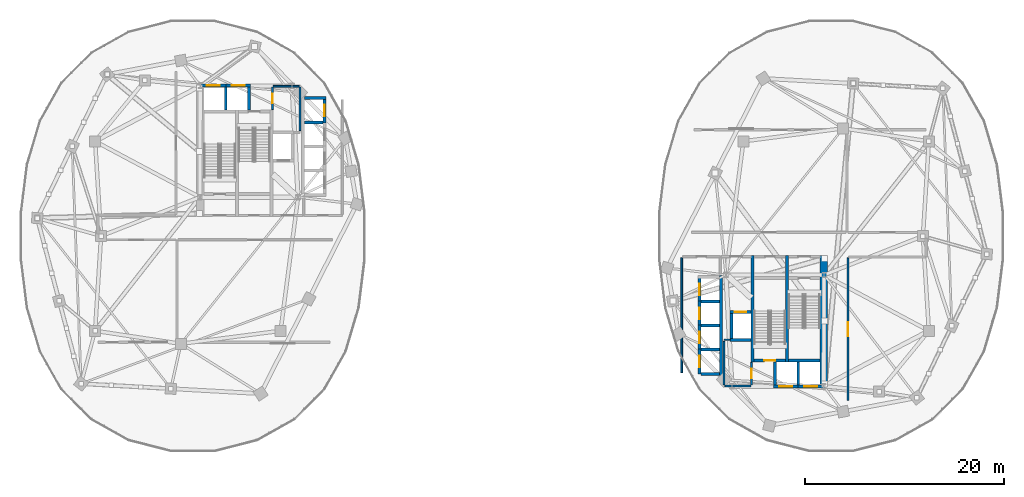
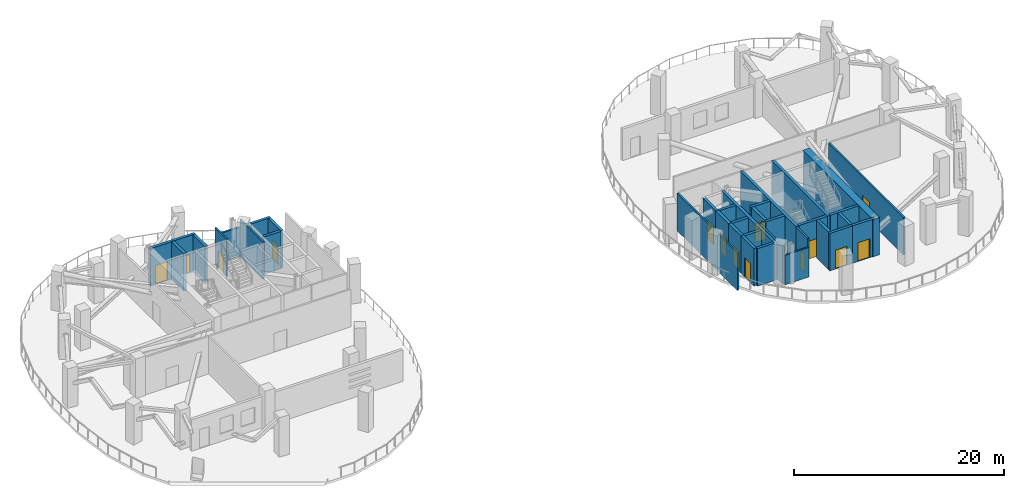
# One storey, part 6 of 12: 37 walls, 14 doors, 14 openings.
"""IFC4 building model written with IfcOpenShell, lengths in metres."""

from ifc_helpers import new_model, si_unit, direction, frame, frame_2d, origin, place, context, subcontext, project, spatial, rectangle, extrude, material, layer, layer_set, type_object, element, fill, save


model = new_model("IFC4")

# Units and contexts
model_context = context("Model", 3, precision=1e-05, world=origin(), true_north=direction((0.0, 1.0)))
body_context = subcontext(model_context, "Body", "Model", "MODEL_VIEW")
ifc_project = project(units=[si_unit("LENGTHUNIT", "METRE"), si_unit("AREAUNIT", "SQUARE_METRE"), si_unit("VOLUMEUNIT", "CUBIC_METRE"), si_unit("PLANEANGLEUNIT", "RADIAN"), si_unit("MASSUNIT", "GRAM", prefix="KILO"), si_unit("THERMODYNAMICTEMPERATUREUNIT", "KELVIN"), si_unit("POWERUNIT", "WATT")], contexts=[model_context])

# Site, building, storey
site_placement = place(None, origin())
site = spatial("IfcSite", under=ifc_project, at=site_placement, CompositionType="ELEMENT")
building_placement = place(site_placement, origin())
building = spatial("IfcBuilding", under=site, at=building_placement, Name="Cundina Bronze Exchange", CompositionType="ELEMENT")
storey_placement = place(building_placement, frame((0.0, 0.0, 132.199951171875)))
storey = spatial("IfcBuildingStorey", under=building, at=storey_placement, Name="L34", CompositionType="ELEMENT", Elevation=132.199951171875)

# Walls
ifc_material_1 = material(Name="Gypsum Fireboard Partition EI120")
ifc_layer_1 = layer(ifc_material_1, 0.179931640625, Name="Gypsum Fireboard Partition EI120")
ifc_layer_set_1 = layer_set([ifc_layer_1], Name="Gypsum Fireboard Partition EI120")
wall_type_1 = type_object("IfcWallType", Name="WL-COR-180", PredefinedType="PARTITIONING", material=ifc_layer_set_1)
wall_1_placement = place(storey_placement, frame((-21.25, 10.570068359375, 0.0), z_axis=(0.0, 0.0, 1.0), x_axis=(0.0, 1.0, 0.0)))
element("IfcWall", 1, at=wall_1_placement, inside=storey, type_object=wall_type_1, Name="L34 Interior Partition 004", PredefinedType="PARTITIONING", context=body_context, shape_type="SweptSolid", body=[
    extrude(rectangle(XDim=4.35986328125, YDim=0.179931640625, at=frame_2d((2.179931640625, 0.0))), origin(), (0.0, 0.0, 1.0), 4.360107421875),
])
wall_2_placement = place(storey_placement, frame((-23.9599609375, 15.030029296875, 0.0), z_axis=(0.0, 0.0, 1.0), x_axis=(1.0, 0.0, 0.0)))
element("IfcWall", 2, at=wall_2_placement, inside=storey, type_object=wall_type_1, Name="L34 Interior Partition 005", PredefinedType="PARTITIONING", context=body_context, shape_type="SweptSolid", body=[
    extrude(rectangle(XDim=2.60986328125, YDim=0.179931640625, at=frame_2d((1.304931640625, 0.0))), origin(), (0.0, 0.0, 1.0), 3.43310546875),
])

# Wall, opening, door
wall_3_placement = place(storey_placement, frame((-24.02001953125, 12.669921875, 0.0), z_axis=(0.0, 0.0, 1.0), x_axis=(0.0, 1.0, 0.0)))
wall_3 = element("IfcWall", 3, at=wall_3_placement, inside=storey, type_object=wall_type_1, Name="L34 Interior Partition 007", PredefinedType="PARTITIONING", context=body_context, shape_type="SweptSolid", body=[
    extrude(rectangle(XDim=2.260009765625, YDim=0.179931640625, at=frame_2d((1.1298828125, 0.0))), origin(), (0.0, 0.0, 1.0), 4.360107421875),
])
opening_1_placement = place(wall_3_placement, frame((0.655029296875, 0.0, 0.0)))
opening_1 = element("IfcOpeningElement", 4, at=opening_1_placement, cuts=wall_3, Name="Opening DW-01", PredefinedType="OPENING", context=body_context, shape_type="SweptSolid", body=[
    extrude(rectangle(XDim=0.949951171875, YDim=2.10009765625, at=frame_2d((0.47509765625, 1.050048828125))), frame((0.0, 0.099853515625, 0.0), z_axis=(0.0, -1.0, 0.0), x_axis=(1.0, 0.0, 0.0)), (0.0, 0.0, 1.0), 0.199951171875),
])
ifc_material_2 = material(Name="Solid Andean Oak Timber Grade A", Category="wood")
door_type_1 = type_object("IfcDoorType", Name="DR-WC-950", OperationType="NOTDEFINED", PredefinedType="DOOR", material=ifc_material_2)
door_1_placement = place(opening_1_placement, origin())
door_1 = element("IfcDoor", 5, at=door_1_placement, inside=storey, type_object=door_type_1, Name="L34 Interior Door 007", OperationType="SINGLE_SWING_LEFT", OverallHeight=2.10009765625, OverallWidth=0.949951171875, PredefinedType="DOOR", context=body_context, shape_type="SweptSolid", body=[
    extrude(rectangle(XDim=0.949951171875, YDim=2.10009765625, at=frame_2d((0.47509765625, 1.050048828125))), frame((0.0, 0.02490234375, 0.0), z_axis=(0.0, -1.0, 0.0), x_axis=(1.0, 0.0, 0.0)), (0.0, 0.0, 1.0), 0.050048828125),
])
fill(opening_1, door_1)

# Walls
wall_4_placement = place(storey_placement, frame((17.02001953125, -13.679931640625, 0.0), z_axis=(0.0, 0.0, 1.0), x_axis=(0.0, 1.0, 0.0)))
element("IfcWall", 6, at=wall_4_placement, inside=storey, type_object=wall_type_1, Name="L34 Interior Partition 014", PredefinedType="PARTITIONING", context=body_context, shape_type="SweptSolid", body=[
    extrude(rectangle(XDim=11.510009765625, YDim=0.179931640625, at=frame_2d((5.7548828125, 0.0))), origin(), (0.0, 0.0, 1.0), 4.360107421875),
])
wall_5_placement = place(storey_placement, frame((21.25, -14.929931640625, 0.0), z_axis=(0.0, 0.0, 1.0), x_axis=(0.0, 1.0, 0.0)))
element("IfcWall", 7, at=wall_5_placement, inside=storey, type_object=wall_type_1, Name="L34 Interior Partition 017", PredefinedType="PARTITIONING", context=body_context, shape_type="SweptSolid", body=[
    extrude(rectangle(XDim=4.35986328125, YDim=0.179931640625, at=frame_2d((2.179931640625, 0.0))), origin(), (0.0, 0.0, 1.0), 4.360107421875),
])
wall_6_placement = place(storey_placement, frame((21.35009765625, -15.030029296875, 0.0), z_axis=(0.0, 0.0, 1.0), x_axis=(1.0, 0.0, 0.0)))
element("IfcWall", 8, at=wall_6_placement, inside=storey, type_object=wall_type_1, Name="L34 Interior Partition 018", PredefinedType="PARTITIONING", context=body_context, shape_type="SweptSolid", body=[
    extrude(rectangle(XDim=2.60986328125, YDim=0.179931640625, at=frame_2d((1.304931640625, 0.0))), origin(), (0.0, 0.0, 1.0), 3.43310546875),
])

# Wall, opening, door
wall_7_placement = place(storey_placement, frame((24.02001953125, -14.929931640625, 0.0), z_axis=(0.0, 0.0, 1.0), x_axis=(0.0, 1.0, 0.0)))
wall_7 = element("IfcWall", 9, at=wall_7_placement, inside=storey, type_object=wall_type_1, Name="L34 Interior Partition 020", PredefinedType="PARTITIONING", context=body_context, shape_type="SweptSolid", body=[
    extrude(rectangle(XDim=2.260009765625, YDim=0.179931640625, at=frame_2d((1.1298828125, 0.0))), origin(), (0.0, 0.0, 1.0), 4.360107421875),
])
opening_2_placement = place(wall_7_placement, frame((0.655029296875, 0.0, 0.0)))
opening_2 = element("IfcOpeningElement", 10, at=opening_2_placement, cuts=wall_7, Name="Opening DW-01", PredefinedType="OPENING", context=body_context, shape_type="SweptSolid", body=[
    extrude(rectangle(XDim=0.949951171875, YDim=2.10009765625, at=frame_2d((0.47509765625, 1.050048828125))), frame((0.0, 0.099853515625, 0.0), z_axis=(0.0, -1.0, 0.0), x_axis=(1.0, 0.0, 0.0)), (0.0, 0.0, 1.0), 0.199951171875),
])
door_2_placement = place(opening_2_placement, origin())
door_2 = element("IfcDoor", 11, at=door_2_placement, inside=storey, type_object=door_type_1, Name="L34 Interior Door 020", OperationType="SINGLE_SWING_RIGHT", OverallHeight=2.10009765625, OverallWidth=0.949951171875, PredefinedType="DOOR", context=body_context, shape_type="SweptSolid", body=[
    extrude(rectangle(XDim=0.949951171875, YDim=2.10009765625, at=frame_2d((0.47509765625, 1.050048828125))), frame((0.0, 0.02490234375, 0.0), z_axis=(0.0, -1.0, 0.0), x_axis=(1.0, 0.0, 0.0)), (0.0, 0.0, 1.0), 0.050048828125),
])
fill(opening_2, door_2)

wall_8_placement = place(storey_placement, frame((33.68994140625, -16.47998046875, 0.0), z_axis=(0.0, 0.0, 1.0), x_axis=(0.0, 1.0, 0.0)))
wall_8 = element("IfcWall", 12, at=wall_8_placement, inside=storey, type_object=wall_type_1, Name="L34 Interior Partition 023", PredefinedType="PARTITIONING", context=body_context, shape_type="SweptSolid", body=[
    extrude(rectangle(XDim=14.300048828125, YDim=0.179931640625, at=frame_2d((7.14990234375, 0.0))), origin(), (0.0, 0.0, 1.0), 4.360107421875),
])
opening_3_placement = place(wall_8_placement, frame((6.449951171875, 0.0, 0.0)))
opening_3 = element("IfcOpeningElement", 13, at=opening_3_placement, cuts=wall_8, Name="Opening DP-01", PredefinedType="OPENING", context=body_context, shape_type="SweptSolid", body=[
    extrude(rectangle(XDim=1.39990234375, YDim=2.199951171875, at=frame_2d((0.699951171875, 1.10009765625))), frame((0.0, 0.099853515625, 0.0), z_axis=(0.0, -1.0, 0.0), x_axis=(1.0, 0.0, 0.0)), (0.0, 0.0, 1.0), 0.199951171875),
])
ifc_material_3 = material(Name="Steel ASTM A36 Painted", Category="steel")
door_type_2 = type_object("IfcDoorType", Name="DR-PLT-1400", OperationType="NOTDEFINED", PredefinedType="DOOR", material=ifc_material_3)
door_3_placement = place(opening_3_placement, origin())
door_3 = element("IfcDoor", 14, at=door_3_placement, inside=storey, type_object=door_type_2, Name="L34 Interior Door 023", OperationType="SINGLE_SWING_RIGHT", OverallHeight=2.199951171875, OverallWidth=1.39990234375, PredefinedType="DOOR", context=body_context, shape_type="SweptSolid", body=[
    extrude(rectangle(XDim=1.39990234375, YDim=2.199951171875, at=frame_2d((0.699951171875, 1.10009765625))), frame((0.0, 0.02490234375, 0.0), z_axis=(0.0, -1.0, 0.0), x_axis=(1.0, 0.0, 0.0)), (0.0, 0.0, 1.0), 0.050048828125),
])
fill(opening_3, door_3)

# Wall
ifc_material_4 = material(Name="Concrete C60/75", Category="concrete")
ifc_layer_2 = layer(ifc_material_4, 0.75, Name="Concrete C60/75", Category="concrete")
ifc_layer_set_2 = layer_set([ifc_layer_2], Name="Concrete C60/75")
wall_type_2 = type_object("IfcWallType", Name="WL-CORE-750", PredefinedType="SHEAR", material=ifc_layer_set_2)
wall_9_placement = place(storey_placement, frame((31.27490234375, -15.300048828125, 0.0), z_axis=(0.0, 0.0, 1.0), x_axis=(0.0, 1.0, 0.0)))
element("IfcWall", 15, at=wall_9_placement, inside=storey, type_object=wall_type_2, Name="L34 E Primary Core Shear Spine Wall", PredefinedType="SHEAR", context=body_context, shape_type="SweptSolid", body=[
    extrude(rectangle(XDim=13.330078125, YDim=0.75, at=frame_2d((6.6650390625, 0.0))), origin(), (0.0, 0.0, 1.0), 4.360107421875),
])

# Wall, opening, door
ifc_material_5 = material(Name="Concrete C50/60", Category="concrete")
ifc_layer_3 = layer(ifc_material_5, 0.300048828125, Name="Concrete C50/60", Category="concrete")
ifc_layer_set_3 = layer_set([ifc_layer_3], Name="Concrete C50/60")
wall_type_3 = type_object("IfcWallType", Name="WL-SHFT-300", PredefinedType="SHEAR", material=ifc_layer_set_3)
wall_10_placement = place(storey_placement, frame((-31.199951171875, 15.10009765625, 0.0), z_axis=(0.0, 0.0, 1.0), x_axis=(1.0, 0.0, 0.0)))
wall_10 = element("IfcWall", 16, at=wall_10_placement, inside=storey, type_object=wall_type_3, Name="L34 PH-W1 Hoistway Front Wall", PredefinedType="SHEAR", context=body_context, shape_type="SweptSolid", body=[
    extrude(rectangle(XDim=2.5, YDim=0.300048828125, at=frame_2d((1.25, 0.0))), origin(), (0.0, 0.0, 1.0), 4.360107421875),
])
opening_4_placement = place(wall_10_placement, frame((0.60009765625, 0.0, 0.0)))
opening_4 = element("IfcOpeningElement", 17, at=opening_4_placement, cuts=wall_10, Name="Opening LD-02", PredefinedType="OPENING", context=body_context, shape_type="SweptSolid", body=[
    extrude(rectangle(XDim=1.300048828125, YDim=2.199951171875, at=frame_2d((0.64990234375, 1.10009765625))), frame((0.0, 0.159912109375, 0.0), z_axis=(0.0, -1.0, 0.0), x_axis=(1.0, 0.0, 0.0)), (0.0, 0.0, 1.0), 0.320068359375),
])
door_type_3 = type_object("IfcDoorType", Name="DR-LND-1300", OperationType="NOTDEFINED", PredefinedType="TRAPDOOR", material=ifc_material_3)
door_4_placement = place(opening_4_placement, origin())
door_4 = element("IfcDoor", 18, at=door_4_placement, inside=storey, type_object=door_type_3, Name="L34 PH-W1 Sliding Landing Door", OperationType="SLIDING_TO_LEFT", OverallHeight=2.199951171875, OverallWidth=1.300048828125, PredefinedType="TRAPDOOR", context=body_context, shape_type="SweptSolid", body=[
    extrude(rectangle(XDim=1.300048828125, YDim=2.199951171875, at=frame_2d((0.64990234375, 1.10009765625))), frame((0.0, 0.02490234375, 0.0), z_axis=(0.0, -1.0, 0.0), x_axis=(1.0, 0.0, 0.0)), (0.0, 0.0, 1.0), 0.050048828125),
])
fill(opening_4, door_4)

# Wall
wall_11_placement = place(storey_placement, frame((-28.699951171875, 12.64990234375, 0.0), z_axis=(0.0, 0.0, 1.0), x_axis=(0.0, 1.0, 0.0)))
element("IfcWall", 19, at=wall_11_placement, inside=storey, type_object=wall_type_3, Name="L34 PH-W1 Hoistway Divider Wall", PredefinedType="SHEAR", context=body_context, shape_type="SweptSolid", body=[
    extrude(rectangle(XDim=2.300048828125, YDim=0.300048828125, at=frame_2d((1.14990234375, 0.0))), origin(), (0.0, 0.0, 1.0), 4.360107421875),
])

# Wall, opening, door
wall_12_placement = place(storey_placement, frame((-28.699951171875, 15.10009765625, 0.0), z_axis=(0.0, 0.0, 1.0), x_axis=(1.0, 0.0, 0.0)))
wall_12 = element("IfcWall", 20, at=wall_12_placement, inside=storey, type_object=wall_type_3, Name="L34 PH-W2 Hoistway Front Wall", PredefinedType="SHEAR", context=body_context, shape_type="SweptSolid", body=[
    extrude(rectangle(XDim=2.5, YDim=0.300048828125, at=frame_2d((1.25, 0.0))), origin(), (0.0, 0.0, 1.0), 4.360107421875),
])
opening_5_placement = place(wall_12_placement, frame((0.60009765625, 0.0, 0.0)))
opening_5 = element("IfcOpeningElement", 21, at=opening_5_placement, cuts=wall_12, Name="Opening LD-02", PredefinedType="OPENING", context=body_context, shape_type="SweptSolid", body=[
    extrude(rectangle(XDim=1.300048828125, YDim=2.199951171875, at=frame_2d((0.64990234375, 1.10009765625))), frame((0.0, 0.159912109375, 0.0), z_axis=(0.0, -1.0, 0.0), x_axis=(1.0, 0.0, 0.0)), (0.0, 0.0, 1.0), 0.320068359375),
])
door_5_placement = place(opening_5_placement, origin())
door_5 = element("IfcDoor", 22, at=door_5_placement, inside=storey, type_object=door_type_3, Name="L34 PH-W2 Sliding Landing Door", OperationType="SLIDING_TO_LEFT", OverallHeight=2.199951171875, OverallWidth=1.300048828125, PredefinedType="TRAPDOOR", context=body_context, shape_type="SweptSolid", body=[
    extrude(rectangle(XDim=1.300048828125, YDim=2.199951171875, at=frame_2d((0.64990234375, 1.10009765625))), frame((0.0, 0.02490234375, 0.0), z_axis=(0.0, -1.0, 0.0), x_axis=(1.0, 0.0, 0.0)), (0.0, 0.0, 1.0), 0.050048828125),
])
fill(opening_5, door_5)

# Walls
wall_13_placement = place(storey_placement, frame((-26.35009765625, 12.64990234375, 0.0), z_axis=(0.0, 0.0, 1.0), x_axis=(0.0, 1.0, 0.0)))
element("IfcWall", 23, at=wall_13_placement, inside=storey, type_object=wall_type_3, Name="L34 PH-W2 Hoistway Divider Wall", PredefinedType="SHEAR", context=body_context, shape_type="SweptSolid", body=[
    extrude(rectangle(XDim=2.300048828125, YDim=0.300048828125, at=frame_2d((1.14990234375, 0.0))), origin(), (0.0, 0.0, 1.0), 4.360107421875),
])
wall_14_placement = place(storey_placement, frame((-20.800048828125, 13.85009765625, 0.0), z_axis=(0.0, 0.0, 1.0), x_axis=(1.0, 0.0, 0.0)))
element("IfcWall", 24, at=wall_14_placement, inside=storey, type_object=wall_type_3, Name="L34 W Passenger Bank North Cap Wall", PredefinedType="SHEAR", context=body_context, shape_type="SweptSolid", body=[
    extrude(rectangle(XDim=2.150146484375, YDim=0.300048828125, at=frame_2d((1.0751953125, 0.0))), origin(), (0.0, 0.0, 1.0), 4.360107421875),
])
wall_15_placement = place(storey_placement, frame((-20.800048828125, 11.375, 0.0), z_axis=(0.0, 0.0, 1.0), x_axis=(1.0, 0.0, 0.0)))
element("IfcWall", 25, at=wall_15_placement, inside=storey, type_object=wall_type_3, Name="L34 W Passenger Hoistway Divider 3", PredefinedType="SHEAR", context=body_context, shape_type="SweptSolid", body=[
    extrude(rectangle(XDim=1.85009765625, YDim=0.300048828125, at=frame_2d((0.925048828125, 0.0))), origin(), (0.0, 0.0, 1.0), 4.360107421875),
])

# Wall, opening, door
wall_16_placement = place(storey_placement, frame((-18.800048828125, 11.330078125, 0.0), z_axis=(0.0, 0.0, 1.0), x_axis=(0.0, 1.0, 0.0)))
wall_16 = element("IfcWall", 26, at=wall_16_placement, inside=storey, type_object=wall_type_3, Name="L34 PM-W1 Hoistway Front Wall", PredefinedType="SHEAR", context=body_context, shape_type="SweptSolid", body=[
    extrude(rectangle(XDim=2.489990234375, YDim=0.300048828125, at=frame_2d((1.2451171875, 0.0))), origin(), (0.0, 0.0, 1.0), 4.360107421875),
])
opening_6_placement = place(wall_16_placement, frame((0.669921875, 0.0, 0.0)))
opening_6 = element("IfcOpeningElement", 27, at=opening_6_placement, cuts=wall_16, Name="Opening LD-01", PredefinedType="OPENING", context=body_context, shape_type="SweptSolid", body=[
    extrude(rectangle(XDim=1.14990234375, YDim=2.199951171875, at=frame_2d((0.574951171875, 1.10009765625))), frame((0.0, 0.159912109375, 0.0), z_axis=(0.0, -1.0, 0.0), x_axis=(1.0, 0.0, 0.0)), (0.0, 0.0, 1.0), 0.320068359375),
])
door_type_4 = type_object("IfcDoorType", Name="DR-LND-1150", OperationType="NOTDEFINED", PredefinedType="TRAPDOOR", material=ifc_material_3)
door_6_placement = place(opening_6_placement, origin())
door_6 = element("IfcDoor", 28, at=door_6_placement, inside=storey, type_object=door_type_4, Name="L34 PM-W1 Sliding Landing Door", OperationType="SLIDING_TO_LEFT", OverallHeight=2.199951171875, OverallWidth=1.14990234375, PredefinedType="TRAPDOOR", context=body_context, shape_type="SweptSolid", body=[
    extrude(rectangle(XDim=1.14990234375, YDim=2.199951171875, at=frame_2d((0.574951171875, 1.10009765625))), frame((0.0, 0.02490234375, 0.0), z_axis=(0.0, -1.0, 0.0), x_axis=(1.0, 0.0, 0.0)), (0.0, 0.0, 1.0), 0.050048828125),
])
fill(opening_6, door_6)

# Walls
for number, where, z_axis, x_axis, name in (
    (29, (27.590087890625, -12.64990234375, 0.0), (0.0, 0.0, 1.0), (0.0, 1.0, 0.0), "L34 E Stair Shaft Dividing Shear Wall"),
    (30, (24.1298828125, -12.64990234375, 0.0), (0.0, 0.0, 1.0), (0.0, 1.0, 0.0), "L34 E Stair 2 East Shear Wall"),
):
    element("IfcWall", number, at=place(storey_placement, frame(where, z_axis=z_axis, x_axis=x_axis)), inside=storey, type_object=wall_type_3, Name=name, PredefinedType="SHEAR", context=body_context, shape_type="SweptSolid", body=[
        extrude(rectangle(XDim=10.679931640625, YDim=0.300048828125, at=frame_2d((5.33984375, 0.0))), origin(), (0.0, 0.0, 1.0), 4.360107421875),
    ])
wall_17_placement = place(storey_placement, frame((27.739990234375, -12.5, 0.0), z_axis=(0.0, 0.0, 1.0), x_axis=(1.0, 0.0, 0.0)))
element("IfcWall", 31, at=wall_17_placement, inside=storey, type_object=wall_type_3, Name="L34 Stair E1 Far Shaft Wall", PredefinedType="SHEAR", context=body_context, shape_type="SweptSolid", body=[
    extrude(rectangle(XDim=3.159912109375, YDim=0.300048828125, at=frame_2d((1.580078125, 0.0))), origin(), (0.0, 0.0, 1.0), 4.360107421875),
])

# Wall, opening, door
wall_18_placement = place(storey_placement, frame((24.280029296875, -12.5, 0.0), z_axis=(0.0, 0.0, 1.0), x_axis=(1.0, 0.0, 0.0)))
wall_18 = element("IfcWall", 32, at=wall_18_placement, inside=storey, type_object=wall_type_3, Name="L34 Stair E2 Landing Wall", PredefinedType="SHEAR", context=body_context, shape_type="SweptSolid", body=[
    extrude(rectangle(XDim=3.159912109375, YDim=0.300048828125, at=frame_2d((1.580078125, 0.0))), origin(), (0.0, 0.0, 1.0), 4.360107421875),
])
opening_7_placement = place(wall_18_placement, frame((1.030029296875, 0.0, 0.0)))
opening_7 = element("IfcOpeningElement", 33, at=opening_7_placement, cuts=wall_18, Name="Opening DS-01", PredefinedType="OPENING", context=body_context, shape_type="SweptSolid", body=[
    extrude(rectangle(XDim=1.10009765625, YDim=2.14990234375, at=frame_2d((0.550048828125, 1.074951171875))), frame((0.0, 0.159912109375, 0.0), z_axis=(0.0, -1.0, 0.0), x_axis=(1.0, 0.0, 0.0)), (0.0, 0.0, 1.0), 0.320068359375),
])
door_type_5 = type_object("IfcDoorType", Name="DR-STR-1100", OperationType="NOTDEFINED", PredefinedType="DOOR", material=ifc_material_3)
door_7_placement = place(opening_7_placement, origin())
door_7 = element("IfcDoor", 34, at=door_7_placement, inside=storey, type_object=door_type_5, Name="L34 Smokeproof Stair E2 Door", OperationType="SINGLE_SWING_RIGHT", OverallHeight=2.14990234375, OverallWidth=1.10009765625, PredefinedType="DOOR", context=body_context, shape_type="SweptSolid", body=[
    extrude(rectangle(XDim=1.10009765625, YDim=2.14990234375, at=frame_2d((0.550048828125, 1.074951171875))), frame((0.0, 0.02490234375, 0.0), z_axis=(0.0, -1.0, 0.0), x_axis=(1.0, 0.0, 0.0)), (0.0, 0.0, 1.0), 0.050048828125),
])
fill(opening_7, door_7)

wall_19_placement = place(storey_placement, frame((21.8798828125, -7.60009765625, 0.0), z_axis=(0.0, 0.0, 1.0), x_axis=(1.0, 0.0, 0.0)))
wall_19 = element("IfcWall", 35, at=wall_19_placement, inside=storey, type_object=wall_type_3, Name="L34 FFL-E Hoistway Front Wall", PredefinedType="SHEAR", context=body_context, shape_type="SweptSolid", body=[
    extrude(rectangle(XDim=2.10009765625, YDim=0.300048828125, at=frame_2d((1.050048828125, 0.0))), origin(), (0.0, 0.0, 1.0), 4.360107421875),
])
opening_8_placement = place(wall_19_placement, frame((0.47509765625, 0.0, 0.0)))
opening_8 = element("IfcOpeningElement", 36, at=opening_8_placement, cuts=wall_19, Name="Opening LD-01", PredefinedType="OPENING", context=body_context, shape_type="SweptSolid", body=[
    extrude(rectangle(XDim=1.14990234375, YDim=2.199951171875, at=frame_2d((0.574951171875, 1.10009765625))), frame((0.0, 0.159912109375, 0.0), z_axis=(0.0, -1.0, 0.0), x_axis=(1.0, 0.0, 0.0)), (0.0, 0.0, 1.0), 0.320068359375),
])
door_8_placement = place(opening_8_placement, origin())
door_8 = element("IfcDoor", 37, at=door_8_placement, inside=storey, type_object=door_type_4, Name="L34 FFL-E Sliding Landing Door", OperationType="SLIDING_TO_LEFT", OverallHeight=2.199951171875, OverallWidth=1.14990234375, PredefinedType="TRAPDOOR", context=body_context, shape_type="SweptSolid", body=[
    extrude(rectangle(XDim=1.14990234375, YDim=2.199951171875, at=frame_2d((0.574951171875, 1.10009765625))), frame((0.0, 0.02490234375, 0.0), z_axis=(0.0, -1.0, 0.0), x_axis=(1.0, 0.0, 0.0)), (0.0, 0.0, 1.0), 0.050048828125),
])
fill(opening_8, door_8)

# Walls
wall_20_placement = place(storey_placement, frame((21.8798828125, -10.39990234375, 0.0), z_axis=(0.0, 0.0, 1.0), x_axis=(1.0, 0.0, 0.0)))
element("IfcWall", 38, at=wall_20_placement, inside=storey, type_object=wall_type_3, Name="L34 FFL-E Hoistway Back Wall", PredefinedType="SHEAR", context=body_context, shape_type="SweptSolid", body=[
    extrude(rectangle(XDim=2.10009765625, YDim=0.300048828125, at=frame_2d((1.050048828125, 0.0))), origin(), (0.0, 0.0, 1.0), 4.360107421875),
])
wall_21_placement = place(storey_placement, frame((22.030029296875, -10.25, 0.0), z_axis=(0.0, 0.0, 1.0), x_axis=(0.0, 1.0, 0.0)))
element("IfcWall", 39, at=wall_21_placement, inside=storey, type_object=wall_type_3, Name="L34 FFL-E Hoistway Side Wall", PredefinedType="SHEAR", context=body_context, shape_type="SweptSolid", body=[
    extrude(rectangle(XDim=2.5, YDim=0.300048828125, at=frame_2d((1.25, 0.0))), origin(), (0.0, 0.0, 1.0), 4.360107421875),
])

# Wall, opening, door
wall_22_placement = place(storey_placement, frame((28.699951171875, -15.10009765625, 0.0), z_axis=(0.0, 0.0, 1.0), x_axis=(1.0, 0.0, 0.0)))
wall_22 = element("IfcWall", 40, at=wall_22_placement, inside=storey, type_object=wall_type_3, Name="L34 PH-E1 Hoistway Front Wall", PredefinedType="SHEAR", context=body_context, shape_type="SweptSolid", body=[
    extrude(rectangle(XDim=2.5, YDim=0.300048828125, at=frame_2d((1.25, 0.0))), origin(), (0.0, 0.0, 1.0), 4.360107421875),
])
opening_9_placement = place(wall_22_placement, frame((0.60009765625, 0.0, 0.0)))
opening_9 = element("IfcOpeningElement", 41, at=opening_9_placement, cuts=wall_22, Name="Opening LD-02", PredefinedType="OPENING", context=body_context, shape_type="SweptSolid", body=[
    extrude(rectangle(XDim=1.300048828125, YDim=2.199951171875, at=frame_2d((0.64990234375, 1.10009765625))), frame((0.0, 0.159912109375, 0.0), z_axis=(0.0, -1.0, 0.0), x_axis=(1.0, 0.0, 0.0)), (0.0, 0.0, 1.0), 0.320068359375),
])
door_9_placement = place(opening_9_placement, origin())
door_9 = element("IfcDoor", 42, at=door_9_placement, inside=storey, type_object=door_type_3, Name="L34 PH-E1 Sliding Landing Door", OperationType="SLIDING_TO_LEFT", OverallHeight=2.199951171875, OverallWidth=1.300048828125, PredefinedType="TRAPDOOR", context=body_context, shape_type="SweptSolid", body=[
    extrude(rectangle(XDim=1.300048828125, YDim=2.199951171875, at=frame_2d((0.64990234375, 1.10009765625))), frame((0.0, 0.02490234375, 0.0), z_axis=(0.0, -1.0, 0.0), x_axis=(1.0, 0.0, 0.0)), (0.0, 0.0, 1.0), 0.050048828125),
])
fill(opening_9, door_9)

# Wall
wall_23_placement = place(storey_placement, frame((28.699951171875, -14.949951171875, 0.0), z_axis=(0.0, 0.0, 1.0), x_axis=(0.0, 1.0, 0.0)))
element("IfcWall", 43, at=wall_23_placement, inside=storey, type_object=wall_type_3, Name="L34 PH-E1 Hoistway Divider Wall", PredefinedType="SHEAR", context=body_context, shape_type="SweptSolid", body=[
    extrude(rectangle(XDim=2.300048828125, YDim=0.300048828125, at=frame_2d((1.14990234375, 0.0))), origin(), (0.0, 0.0, 1.0), 4.360107421875),
])

# Wall, opening, door
wall_24_placement = place(storey_placement, frame((26.199951171875, -15.10009765625, 0.0), z_axis=(0.0, 0.0, 1.0), x_axis=(1.0, 0.0, 0.0)))
wall_24 = element("IfcWall", 44, at=wall_24_placement, inside=storey, type_object=wall_type_3, Name="L34 PH-E2 Hoistway Front Wall", PredefinedType="SHEAR", context=body_context, shape_type="SweptSolid", body=[
    extrude(rectangle(XDim=2.5, YDim=0.300048828125, at=frame_2d((1.25, 0.0))), origin(), (0.0, 0.0, 1.0), 4.360107421875),
])
opening_10_placement = place(wall_24_placement, frame((0.60009765625, 0.0, 0.0)))
opening_10 = element("IfcOpeningElement", 45, at=opening_10_placement, cuts=wall_24, Name="Opening LD-02", PredefinedType="OPENING", context=body_context, shape_type="SweptSolid", body=[
    extrude(rectangle(XDim=1.300048828125, YDim=2.199951171875, at=frame_2d((0.64990234375, 1.10009765625))), frame((0.0, 0.159912109375, 0.0), z_axis=(0.0, -1.0, 0.0), x_axis=(1.0, 0.0, 0.0)), (0.0, 0.0, 1.0), 0.320068359375),
])
door_10_placement = place(opening_10_placement, origin())
door_10 = element("IfcDoor", 46, at=door_10_placement, inside=storey, type_object=door_type_3, Name="L34 PH-E2 Sliding Landing Door", OperationType="SLIDING_TO_LEFT", OverallHeight=2.199951171875, OverallWidth=1.300048828125, PredefinedType="TRAPDOOR", context=body_context, shape_type="SweptSolid", body=[
    extrude(rectangle(XDim=1.300048828125, YDim=2.199951171875, at=frame_2d((0.64990234375, 1.10009765625))), frame((0.0, 0.02490234375, 0.0), z_axis=(0.0, -1.0, 0.0), x_axis=(1.0, 0.0, 0.0)), (0.0, 0.0, 1.0), 0.050048828125),
])
fill(opening_10, door_10)

# Walls
wall_25_placement = place(storey_placement, frame((26.35009765625, -14.949951171875, 0.0), z_axis=(0.0, 0.0, 1.0), x_axis=(0.0, 1.0, 0.0)))
element("IfcWall", 47, at=wall_25_placement, inside=storey, type_object=wall_type_3, Name="L34 PH-E2 Hoistway Divider Wall", PredefinedType="SHEAR", context=body_context, shape_type="SweptSolid", body=[
    extrude(rectangle(XDim=2.300048828125, YDim=0.300048828125, at=frame_2d((1.14990234375, 0.0))), origin(), (0.0, 0.0, 1.0), 4.360107421875),
])
wall_26_placement = place(storey_placement, frame((20.949951171875, -14.0, 0.0), z_axis=(0.0, 0.0, 1.0), x_axis=(0.0, 1.0, 0.0)))
element("IfcWall", 48, at=wall_26_placement, inside=storey, type_object=wall_type_3, Name="L34 E Passenger Bank Hoistway Back Wall", PredefinedType="SHEAR", context=body_context, shape_type="SweptSolid", body=[
    extrude(rectangle(XDim=10.050048828125, YDim=0.300048828125, at=frame_2d((5.02490234375, 0.0))), origin(), (0.0, 0.0, 1.0), 4.360107421875),
])
for number, where, z_axis, x_axis, name in (
    (49, (18.949951171875, -13.85009765625, 0.0), (0.0, 0.0, 1.0), (1.0, 0.0, 0.0), "L34 E Passenger Bank South Cap Wall"),
    (50, (18.949951171875, -11.375, 0.0), (0.0, 0.0, 1.0), (1.0, 0.0, 0.0), "L34 E Passenger Hoistway Divider 1"),
    (51, (18.949951171875, -8.97509765625, 0.0), (0.0, 0.0, 1.0), (1.0, 0.0, 0.0), "L34 E Passenger Hoistway Divider 2"),
    (52, (18.949951171875, -6.574951171875, 0.0), (0.0, 0.0, 1.0), (1.0, 0.0, 0.0), "L34 E Passenger Hoistway Divider 3"),
):
    element("IfcWall", number, at=place(storey_placement, frame(where, z_axis=z_axis, x_axis=x_axis)), inside=storey, type_object=wall_type_3, Name=name, PredefinedType="SHEAR", context=body_context, shape_type="SweptSolid", body=[
        extrude(rectangle(XDim=1.85009765625, YDim=0.300048828125, at=frame_2d((0.925048828125, 0.0))), origin(), (0.0, 0.0, 1.0), 4.360107421875),
    ])

# Wall, opening, door
wall_27_placement = place(storey_placement, frame((18.800048828125, -13.820068359375, 0.0), z_axis=(0.0, 0.0, 1.0), x_axis=(0.0, 1.0, 0.0)))
wall_27 = element("IfcWall", 53, at=wall_27_placement, inside=storey, type_object=wall_type_3, Name="L34 PM-E1 Hoistway Front Wall", PredefinedType="SHEAR", context=body_context, shape_type="SweptSolid", body=[
    extrude(rectangle(XDim=2.489990234375, YDim=0.300048828125, at=frame_2d((1.2451171875, 0.0))), origin(), (0.0, 0.0, 1.0), 4.360107421875),
])
opening_11_placement = place(wall_27_placement, frame((0.669921875, 0.0, 0.0)))
opening_11 = element("IfcOpeningElement", 54, at=opening_11_placement, cuts=wall_27, Name="Opening LD-01", PredefinedType="OPENING", context=body_context, shape_type="SweptSolid", body=[
    extrude(rectangle(XDim=1.14990234375, YDim=2.199951171875, at=frame_2d((0.574951171875, 1.10009765625))), frame((0.0, 0.159912109375, 0.0), z_axis=(0.0, -1.0, 0.0), x_axis=(1.0, 0.0, 0.0)), (0.0, 0.0, 1.0), 0.320068359375),
])
door_11_placement = place(opening_11_placement, origin())
door_11 = element("IfcDoor", 55, at=door_11_placement, inside=storey, type_object=door_type_4, Name="L34 PM-E1 Sliding Landing Door", OperationType="SLIDING_TO_LEFT", OverallHeight=2.199951171875, OverallWidth=1.14990234375, PredefinedType="TRAPDOOR", context=body_context, shape_type="SweptSolid", body=[
    extrude(rectangle(XDim=1.14990234375, YDim=2.199951171875, at=frame_2d((0.574951171875, 1.10009765625))), frame((0.0, 0.02490234375, 0.0), z_axis=(0.0, -1.0, 0.0), x_axis=(1.0, 0.0, 0.0)), (0.0, 0.0, 1.0), 0.050048828125),
])
fill(opening_11, door_11)

wall_28_placement = place(storey_placement, frame((18.800048828125, -11.419921875, 0.0), z_axis=(0.0, 0.0, 1.0), x_axis=(0.0, 1.0, 0.0)))
wall_28 = element("IfcWall", 56, at=wall_28_placement, inside=storey, type_object=wall_type_3, Name="L34 PM-E2 Hoistway Front Wall", PredefinedType="SHEAR", context=body_context, shape_type="SweptSolid", body=[
    extrude(rectangle(XDim=2.489990234375, YDim=0.300048828125, at=frame_2d((1.2451171875, 0.0))), origin(), (0.0, 0.0, 1.0), 4.360107421875),
])
opening_12_placement = place(wall_28_placement, frame((0.669921875, 0.0, 0.0)))
opening_12 = element("IfcOpeningElement", 57, at=opening_12_placement, cuts=wall_28, Name="Opening LD-01", PredefinedType="OPENING", context=body_context, shape_type="SweptSolid", body=[
    extrude(rectangle(XDim=1.14990234375, YDim=2.199951171875, at=frame_2d((0.574951171875, 1.10009765625))), frame((0.0, 0.159912109375, 0.0), z_axis=(0.0, -1.0, 0.0), x_axis=(1.0, 0.0, 0.0)), (0.0, 0.0, 1.0), 0.320068359375),
])
door_12_placement = place(opening_12_placement, origin())
door_12 = element("IfcDoor", 58, at=door_12_placement, inside=storey, type_object=door_type_4, Name="L34 PM-E2 Sliding Landing Door", OperationType="SLIDING_TO_LEFT", OverallHeight=2.199951171875, OverallWidth=1.14990234375, PredefinedType="TRAPDOOR", context=body_context, shape_type="SweptSolid", body=[
    extrude(rectangle(XDim=1.14990234375, YDim=2.199951171875, at=frame_2d((0.574951171875, 1.10009765625))), frame((0.0, 0.02490234375, 0.0), z_axis=(0.0, -1.0, 0.0), x_axis=(1.0, 0.0, 0.0)), (0.0, 0.0, 1.0), 0.050048828125),
])
fill(opening_12, door_12)

wall_29_placement = place(storey_placement, frame((18.800048828125, -9.02001953125, 0.0), z_axis=(0.0, 0.0, 1.0), x_axis=(0.0, 1.0, 0.0)))
wall_29 = element("IfcWall", 59, at=wall_29_placement, inside=storey, type_object=wall_type_3, Name="L34 PL-E1 Hoistway Front Wall", PredefinedType="SHEAR", context=body_context, shape_type="SweptSolid", body=[
    extrude(rectangle(XDim=2.489990234375, YDim=0.300048828125, at=frame_2d((1.2451171875, 0.0))), origin(), (0.0, 0.0, 1.0), 4.360107421875),
])
opening_13_placement = place(wall_29_placement, frame((0.669921875, 0.0, 0.0)))
opening_13 = element("IfcOpeningElement", 60, at=opening_13_placement, cuts=wall_29, Name="Opening LD-01", PredefinedType="OPENING", context=body_context, shape_type="SweptSolid", body=[
    extrude(rectangle(XDim=1.14990234375, YDim=2.199951171875, at=frame_2d((0.574951171875, 1.10009765625))), frame((0.0, 0.159912109375, 0.0), z_axis=(0.0, -1.0, 0.0), x_axis=(1.0, 0.0, 0.0)), (0.0, 0.0, 1.0), 0.320068359375),
])
door_13_placement = place(opening_13_placement, origin())
door_13 = element("IfcDoor", 61, at=door_13_placement, inside=storey, type_object=door_type_4, Name="L34 PL-E1 Sliding Landing Door", OperationType="SLIDING_TO_LEFT", OverallHeight=2.199951171875, OverallWidth=1.14990234375, PredefinedType="TRAPDOOR", context=body_context, shape_type="SweptSolid", body=[
    extrude(rectangle(XDim=1.14990234375, YDim=2.199951171875, at=frame_2d((0.574951171875, 1.10009765625))), frame((0.0, 0.02490234375, 0.0), z_axis=(0.0, -1.0, 0.0), x_axis=(1.0, 0.0, 0.0)), (0.0, 0.0, 1.0), 0.050048828125),
])
fill(opening_13, door_13)

wall_30_placement = place(storey_placement, frame((18.800048828125, -6.6201171875, 0.0), z_axis=(0.0, 0.0, 1.0), x_axis=(0.0, 1.0, 0.0)))
wall_30 = element("IfcWall", 62, at=wall_30_placement, inside=storey, type_object=wall_type_3, Name="L34 PL-E2 Hoistway Front Wall", PredefinedType="SHEAR", context=body_context, shape_type="SweptSolid", body=[
    extrude(rectangle(XDim=2.490234375, YDim=0.300048828125, at=frame_2d((1.2451171875, 0.0))), origin(), (0.0, 0.0, 1.0), 4.360107421875),
])
opening_14_placement = place(wall_30_placement, frame((0.669921875, 0.0, 0.0)))
opening_14 = element("IfcOpeningElement", 63, at=opening_14_placement, cuts=wall_30, Name="Opening LD-01", PredefinedType="OPENING", context=body_context, shape_type="SweptSolid", body=[
    extrude(rectangle(XDim=1.14990234375, YDim=2.199951171875, at=frame_2d((0.574951171875, 1.10009765625))), frame((0.0, 0.159912109375, 0.0), z_axis=(0.0, -1.0, 0.0), x_axis=(1.0, 0.0, 0.0)), (0.0, 0.0, 1.0), 0.320068359375),
])
door_14_placement = place(opening_14_placement, origin())
door_14 = element("IfcDoor", 64, at=door_14_placement, inside=storey, type_object=door_type_4, Name="L34 PL-E2 Sliding Landing Door", OperationType="SLIDING_TO_LEFT", OverallHeight=2.199951171875, OverallWidth=1.14990234375, PredefinedType="TRAPDOOR", context=body_context, shape_type="SweptSolid", body=[
    extrude(rectangle(XDim=1.14990234375, YDim=2.199951171875, at=frame_2d((0.574951171875, 1.10009765625))), frame((0.0, 0.02490234375, 0.0), z_axis=(0.0, -1.0, 0.0), x_axis=(1.0, 0.0, 0.0)), (0.0, 0.0, 1.0), 0.050048828125),
])
fill(opening_14, door_14)

# Wall
ifc_material_6 = material(Name="Moisture-Resistant Masonry Block Grade M15", Category="masonry")
ifc_layer_4 = layer(ifc_material_6, 0.139892578125, Name="Moisture-Resistant Masonry Block Grade M15", Category="masonry")
ifc_layer_set_4 = layer_set([ifc_layer_4], Name="Moisture-Resistant Masonry Block Grade M15")
wall_type_4 = type_object("IfcWallType", Name="WL-WET-140", PredefinedType="PARTITIONING", material=ifc_layer_set_4)
wall_31_placement = place(storey_placement, frame((21.27001953125, -10.39990234375, 0.0), z_axis=(0.0, 0.0, 1.0), x_axis=(1.0, 0.0, 0.0)))
element("IfcWall", 65, at=wall_31_placement, inside=storey, type_object=wall_type_4, Name="L34 Interior Partition 016", PredefinedType="PARTITIONING", context=body_context, shape_type="SweptSolid", body=[
    extrude(rectangle(XDim=0.590087890625, YDim=0.139892578125, at=frame_2d((0.294921875, 0.0))), origin(), (0.0, 0.0, 1.0), 4.360107421875),
])

save(model, "model.ifc")
